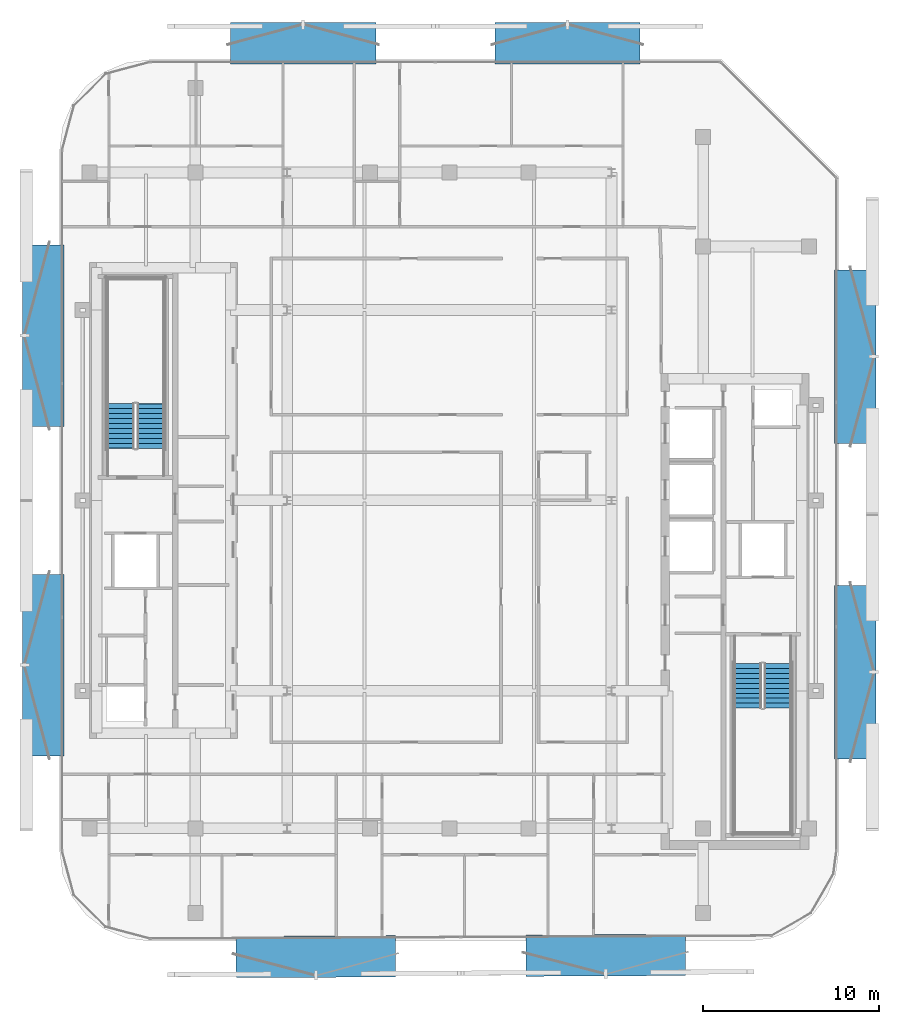
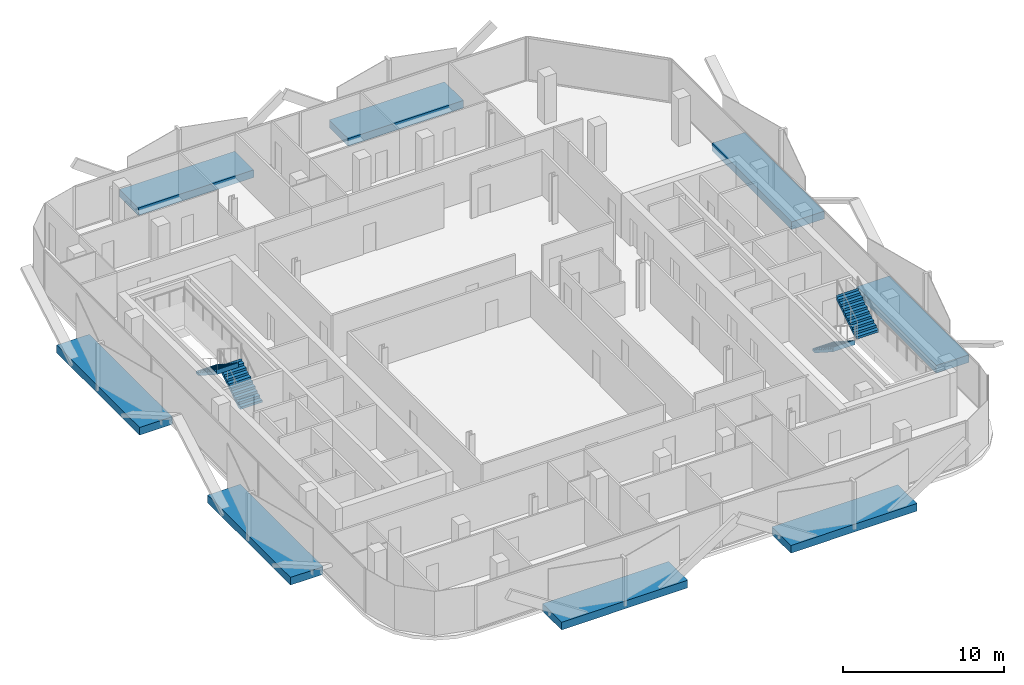
# One storey, part 7 of 15: 8 discrete accessories, 4 stair flights, 2 elements without a shape of their own.
"""IFC4 building model written with IfcOpenShell, lengths in metres."""

from ifc_helpers import new_model, si_unit, direction, frame, origin, origin_2d, place, context, subcontext, project, spatial, polyline, rectangle, outline, extrude, material, layer, layer_set, type_object, element, aggregate, save


model = new_model("IFC4")

# Units and contexts
model_context = context("Model", 3, precision=1e-05, world=origin(), true_north=direction((0.0, 1.0)))
body_context = subcontext(model_context, "Body", "Model", "MODEL_VIEW")
ifc_project = project(units=[si_unit("LENGTHUNIT", "METRE"), si_unit("AREAUNIT", "SQUARE_METRE"), si_unit("VOLUMEUNIT", "CUBIC_METRE"), si_unit("PLANEANGLEUNIT", "RADIAN"), si_unit("MASSUNIT", "GRAM", prefix="KILO")], contexts=[model_context])

# Site, building, storey
site_placement = place(None, origin())
site = spatial("IfcSite", under=ifc_project, at=site_placement, CompositionType="ELEMENT")
building_placement = place(site_placement, origin())
building = spatial("IfcBuilding", under=site, at=building_placement, Name="Khairoan Windgate Tower", CompositionType="ELEMENT")
storey_placement = place(building_placement, frame((0.0, 0.0, 251.199951171875)))
storey = spatial("IfcBuildingStorey", under=building, at=storey_placement, Name="L59", CompositionType="ELEMENT", Elevation=251.199951171875)

# Stair, stair flights
ifc_material_1 = material(Name="Concrete C40/50", Category="concrete")
stair_type = type_object("IfcStairType", Name="Tower Core Dog-Leg Stair ST-T1 1560mm", PredefinedType="HALF_TURN_STAIR", material=ifc_material_1)
stair_1_placement = place(storey_placement, origin())
stair_1 = element("IfcStair", 1, at=stair_1_placement, inside=storey, type_object=stair_type, Name="L59 Stair ST1", PredefinedType="HALF_TURN_STAIR")
ifc_material_2 = material(Name="Concrete C40/50", Category="concrete")
ifc_layer = layer(ifc_material_2, 0.14990234375, Name="Concrete C40/50")
ifc_layer_set = layer_set([ifc_layer], Name="Concrete C40/50")
stair_flight_type = type_object("IfcStairFlightType", Name="Tower Core Stair Flight STF-1560", PredefinedType="STRAIGHT", material=ifc_layer_set)
stair_flight_1_placement = place(storey_placement, frame((16.929931640625, -9.260009765625, 0.0), z_axis=(0.0, 0.0, 1.0), x_axis=(0.0, -1.0, 0.0)))
stair_flight_1 = element("IfcStairFlight", 2, at=stair_flight_1_placement, type_object=stair_flight_type, Name="ST1 flight 1", NumberOfRisers=10, NumberOfTreads=9, PredefinedType="STRAIGHT", RiserHeight=0.18, TreadLength=0.28, context=body_context, shape_type="SweptSolid", body=[
    extrude(outline(polyline([(-0.00390625, 0.0), (-0.00390625, 0.179931640625), (0.0, 0.179931640625), (0.280029296875, 0.179931640625), (0.280029296875, 0.360107421875), (0.56005859375, 0.360107421875), (0.56005859375, 0.5400390625), (0.840087890625, 0.5400390625), (0.840087890625, 0.719970703125), (1.1201171875, 0.719970703125), (1.1201171875, 0.89990234375), (1.39990234375, 0.89990234375), (1.39990234375, 1.080078125), (1.679931640625, 1.080078125), (1.679931640625, 1.260009765625), (1.9599609375, 1.260009765625), (1.9599609375, 1.43994140625), (2.239990234375, 1.43994140625), (2.239990234375, 1.6201171875), (2.52001953125, 1.6201171875), (2.52001953125, 1.800048828125), (2.52392578125, 1.800048828125), (2.52392578125, 1.44189453125), (0.277099609375, 0.0), (-0.00390625, 0.0)])), frame((0.0, 0.780029296875, 0.0), z_axis=(0.0, -1.0, 0.0), x_axis=(1.0, 0.0, 0.0)), (0.0, 0.0, 1.0), 1.56005859375),
])
stair_flight_2_placement = place(storey_placement, frame((18.639892578125, -11.780029296875, 1.800048828125), z_axis=(0.0, 0.0, 1.0), x_axis=(0.0, 1.0, 0.0)))
stair_flight_2 = element("IfcStairFlight", 3, at=stair_flight_2_placement, type_object=stair_flight_type, Name="ST1 flight 2", NumberOfRisers=10, NumberOfTreads=9, PredefinedType="STRAIGHT", RiserHeight=0.18, TreadLength=0.28, context=body_context, shape_type="SweptSolid", body=[
    extrude(outline(polyline([(-0.00390625, 0.0), (-0.00390625, 0.179931640625), (0.0, 0.179931640625), (0.280029296875, 0.179931640625), (0.280029296875, 0.360107421875), (0.56005859375, 0.360107421875), (0.56005859375, 0.5400390625), (0.840087890625, 0.5400390625), (0.840087890625, 0.719970703125), (1.1201171875, 0.719970703125), (1.1201171875, 0.89990234375), (1.39990234375, 0.89990234375), (1.39990234375, 1.080078125), (1.679931640625, 1.080078125), (1.679931640625, 1.260009765625), (1.9599609375, 1.260009765625), (1.9599609375, 1.43994140625), (2.239990234375, 1.43994140625), (2.239990234375, 1.6201171875), (2.52001953125, 1.6201171875), (2.52001953125, 1.800048828125), (2.52392578125, 1.800048828125), (2.52392578125, 1.44189453125), (0.277099609375, 0.0), (-0.00390625, 0.0)])), frame((0.0, 0.780029296875, 0.0), z_axis=(0.0, -1.0, 0.0), x_axis=(1.0, 0.0, 0.0)), (0.0, 0.0, 1.0), 1.56005859375),
])
aggregate(stair_1, [stair_flight_1, stair_flight_2])

stair_2_placement = place(storey_placement, origin())
stair_2 = element("IfcStair", 4, at=stair_2_placement, inside=storey, type_object=stair_type, Name="L59 Stair ST2", PredefinedType="HALF_TURN_STAIR")
stair_flight_3_placement = place(storey_placement, frame((-16.929931640625, 2.9599609375, 0.0), z_axis=(0.0, 0.0, 1.0), x_axis=(0.0, 1.0, 0.0)))
stair_flight_3 = element("IfcStairFlight", 5, at=stair_flight_3_placement, type_object=stair_flight_type, Name="ST2 flight 1", NumberOfRisers=10, NumberOfTreads=9, PredefinedType="STRAIGHT", RiserHeight=0.18, TreadLength=0.28, context=body_context, shape_type="SweptSolid", body=[
    extrude(outline(polyline([(-0.00390625, 0.0), (-0.00390625, 0.179931640625), (0.0, 0.179931640625), (0.280029296875, 0.179931640625), (0.280029296875, 0.360107421875), (0.56005859375, 0.360107421875), (0.56005859375, 0.5400390625), (0.840087890625, 0.5400390625), (0.840087890625, 0.719970703125), (1.1201171875, 0.719970703125), (1.1201171875, 0.89990234375), (1.39990234375, 0.89990234375), (1.39990234375, 1.080078125), (1.679931640625, 1.080078125), (1.679931640625, 1.260009765625), (1.9599609375, 1.260009765625), (1.9599609375, 1.43994140625), (2.239990234375, 1.43994140625), (2.239990234375, 1.6201171875), (2.52001953125, 1.6201171875), (2.52001953125, 1.800048828125), (2.52392578125, 1.800048828125), (2.52392578125, 1.44189453125), (0.277099609375, 0.0), (-0.00390625, 0.0)])), frame((0.0, 0.780029296875, 0.0), z_axis=(0.0, -1.0, 0.0), x_axis=(1.0, 0.0, 0.0)), (0.0, 0.0, 1.0), 1.56005859375),
])
stair_flight_4_placement = place(storey_placement, frame((-18.639892578125, 5.47998046875, 1.800048828125), z_axis=(0.0, 0.0, 1.0), x_axis=(0.0, -1.0, 0.0)))
stair_flight_4 = element("IfcStairFlight", 6, at=stair_flight_4_placement, type_object=stair_flight_type, Name="ST2 flight 2", NumberOfRisers=10, NumberOfTreads=9, PredefinedType="STRAIGHT", RiserHeight=0.18, TreadLength=0.28, context=body_context, shape_type="SweptSolid", body=[
    extrude(outline(polyline([(-0.00390625, 0.0), (-0.00390625, 0.179931640625), (0.0, 0.179931640625), (0.280029296875, 0.179931640625), (0.280029296875, 0.360107421875), (0.56005859375, 0.360107421875), (0.56005859375, 0.5400390625), (0.840087890625, 0.5400390625), (0.840087890625, 0.719970703125), (1.1201171875, 0.719970703125), (1.1201171875, 0.89990234375), (1.39990234375, 0.89990234375), (1.39990234375, 1.080078125), (1.679931640625, 1.080078125), (1.679931640625, 1.260009765625), (1.9599609375, 1.260009765625), (1.9599609375, 1.43994140625), (2.239990234375, 1.43994140625), (2.239990234375, 1.6201171875), (2.52001953125, 1.6201171875), (2.52001953125, 1.800048828125), (2.52392578125, 1.800048828125), (2.52392578125, 1.44189453125), (0.277099609375, 0.0), (-0.00390625, 0.0)])), frame((0.0, 0.780029296875, 0.0), z_axis=(0.0, -1.0, 0.0), x_axis=(1.0, 0.0, 0.0)), (0.0, 0.0, 1.0), 1.56005859375),
])
aggregate(stair_2, [stair_flight_3, stair_flight_4])

# Discrete accessories
ifc_material_3 = material(Name="Steel S355", Category="steel")
discrete_accessory_type = type_object("IfcDiscreteAccessoryType", Name="Solar Screen Outrigger Slab Bracket SSB-1", PredefinedType="BRACKET", material=ifc_material_3)
for number, where, z_axis, x_axis, name in (
    (7, (8.8701171875, -25.80517578125, -0.419921875), (0.0, 0.0, 1.0), (-0.999988059021, -0.004886902454, 0.0), "L59 Solar Screen Outrigger Bracket 401"),
    (8, (-7.567138671875, -25.884521484375, -0.419921875), (0.0, 0.0, 1.0), (-0.999988059021, -0.004886902454, 0.0), "L59 Solar Screen Outrigger Bracket 402"),
):
    element("IfcDiscreteAccessory", number, at=place(storey_placement, frame(where, z_axis=z_axis, x_axis=x_axis)), inside=storey, type_object=discrete_accessory_type, Name=name, PredefinedType="BRACKET", context=body_context, shape_type="SweptSolid", body=[
        extrude(rectangle(XDim=9.041015625, YDim=2.340087890625, at=origin_2d()), origin(), (0.0, 0.0, 1.0), 0.580078125),
    ])
for number, where, z_axis, x_axis, name in (
    (9, (-23.030029296875, -9.345458984375, -0.419921875), (0.0, 0.0, 1.0), (0.0, 1.0, 0.0), "L59 Solar Screen Outrigger Bracket 403"),
    (10, (-23.030029296875, 9.345458984375, -0.419921875), (0.0, 0.0, 1.0), (0.0, 1.0, 0.0), "L59 Solar Screen Outrigger Bracket 404"),
):
    element("IfcDiscreteAccessory", number, at=place(storey_placement, frame(where, z_axis=z_axis, x_axis=x_axis)), inside=storey, type_object=discrete_accessory_type, Name=name, PredefinedType="BRACKET", context=body_context, shape_type="SweptSolid", body=[
        extrude(rectangle(XDim=10.280029296875, YDim=2.340087890625, at=origin_2d()), origin(), (0.0, 0.0, 1.0), 0.580078125),
    ])
for number, where, z_axis, x_axis, name in (
    (11, (-8.29248046875, 25.929931640625, -0.419921875), (0.0, 0.0, 1.0), (1.0, 0.0, 0.0), "L59 Solar Screen Outrigger Bracket 405"),
    (12, (6.703857421875, 25.929931640625, -0.419921875), (0.0, 0.0, 1.0), (1.0, 0.0, 0.0), "L59 Solar Screen Outrigger Bracket 406"),
):
    element("IfcDiscreteAccessory", number, at=place(storey_placement, frame(where, z_axis=z_axis, x_axis=x_axis)), inside=storey, type_object=discrete_accessory_type, Name=name, PredefinedType="BRACKET", context=body_context, shape_type="SweptSolid", body=[
        extrude(rectangle(XDim=8.248046875, YDim=2.340087890625, at=origin_2d()), origin(), (0.0, 0.0, 1.0), 0.580078125),
    ])
for number, where, z_axis, x_axis, name in (
    (13, (23.030029296875, 8.15380859375, -0.419921875), (0.0, 0.0, 1.0), (0.0, -1.0, 0.0), "L59 Solar Screen Outrigger Bracket 407"),
    (14, (23.030029296875, -9.74267578125, -0.419921875), (0.0, 0.0, 1.0), (0.0, -1.0, 0.0), "L59 Solar Screen Outrigger Bracket 408"),
):
    element("IfcDiscreteAccessory", number, at=place(storey_placement, frame(where, z_axis=z_axis, x_axis=x_axis)), inside=storey, type_object=discrete_accessory_type, Name=name, PredefinedType="BRACKET", context=body_context, shape_type="SweptSolid", body=[
        extrude(rectangle(XDim=9.843017578125, YDim=2.340087890625, at=origin_2d()), origin(), (0.0, 0.0, 1.0), 0.580078125),
    ])

save(model, "model.ifc")
